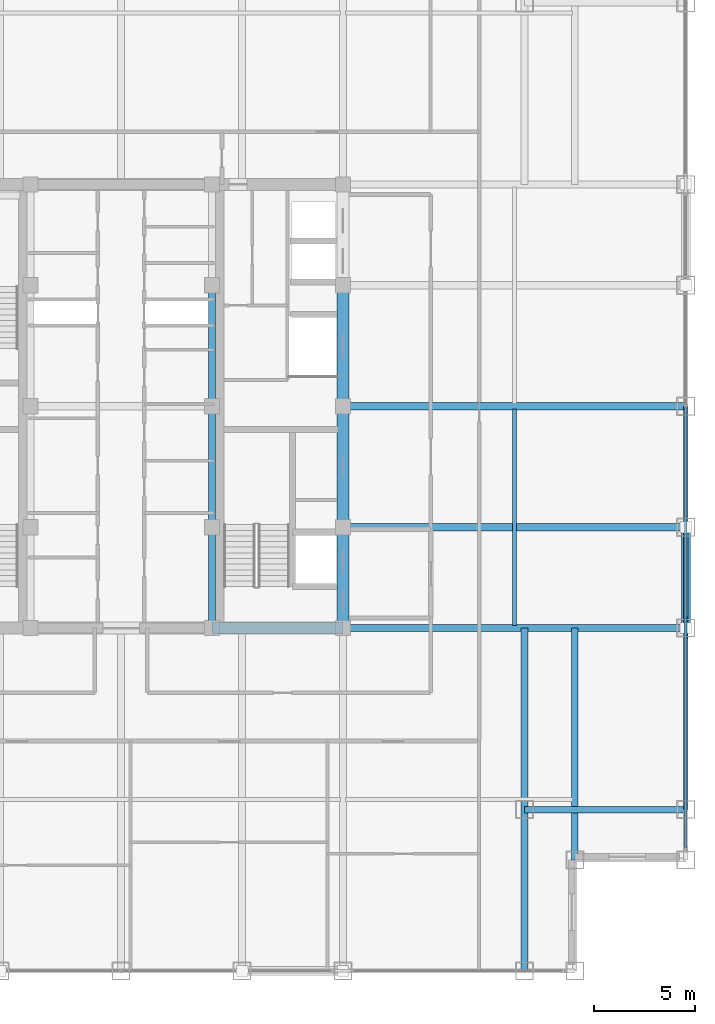
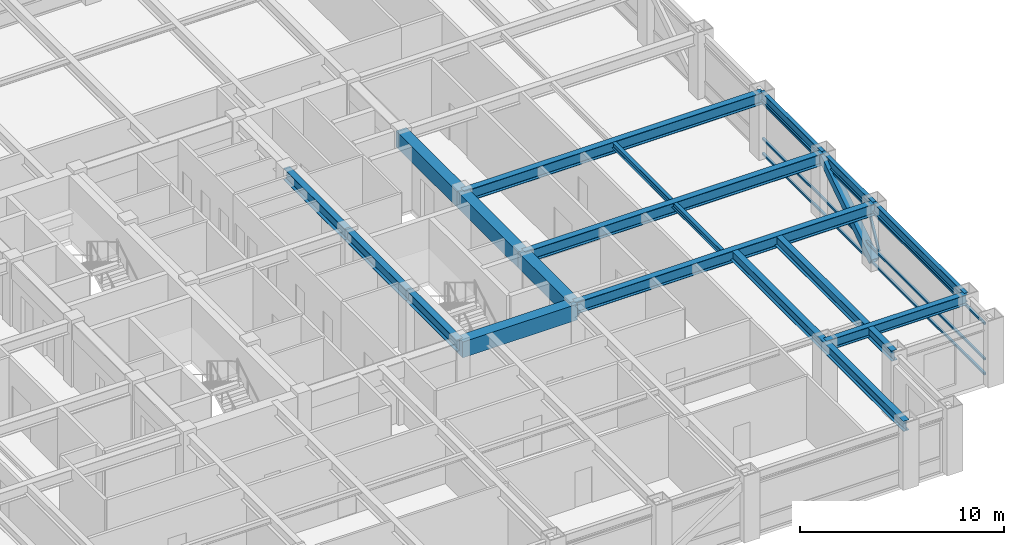
# One storey, part 9 of 22: 17 beams, 5 members, 1 element without a shape of its own.
"""IFC4 building model written with IfcOpenShell, lengths in metres."""

from ifc_helpers import new_model, si_unit, direction, frame, origin, origin_2d, place, context, subcontext, project, spatial, rectangle, hollow_rectangle, i_section, extrude, source, transform, mapped, material, material_profile, profile_set, type_object, element, aggregate, save


model = new_model("IFC4")

# Units and contexts
model_context = context("Model", 3, precision=1e-05, world=origin(), true_north=direction((0.0, 1.0)))
body_context = subcontext(model_context, "Body", "Model", "MODEL_VIEW")
ifc_project = project(units=[si_unit("LENGTHUNIT", "METRE"), si_unit("AREAUNIT", "SQUARE_METRE"), si_unit("VOLUMEUNIT", "CUBIC_METRE"), si_unit("PLANEANGLEUNIT", "RADIAN"), si_unit("MASSUNIT", "GRAM", prefix="KILO")], contexts=[model_context])

# Site, building, storey
site_placement = place(None, origin())
site = spatial("IfcSite", under=ifc_project, at=site_placement, CompositionType="ELEMENT")
building_placement = place(site_placement, origin())
building = spatial("IfcBuilding", under=site, at=building_placement, Name="Khorayat Bourse Tower", CompositionType="ELEMENT")
storey_placement = place(building_placement, frame((0.0, 0.0, 293.5)))
storey = spatial("IfcBuildingStorey", under=building, at=storey_placement, Name="L69", CompositionType="ELEMENT", Elevation=293.5)

# Beams
ifc_material_1 = material(Name="Steel ASTM A992 Grade 50", Category="steel")
ifc_material_profile_1 = material_profile(ifc_material_1, i_section(OverallWidth=0.35498046875, OverallDepth=0.695068359375, WebThickness=0.015380859375, FlangeThickness=0.02490234375, FilletRadius=0.01806640625, at=origin_2d()), Name="W690X217")
ifc_profile_set_1 = profile_set([ifc_material_profile_1], Name="Steel ASTM A992 Grade 50")
beam_type_1 = type_object("IfcBeamType", Name="BM-GIRD-690", PredefinedType="BEAM", material=ifc_profile_set_1)
shared_shape_1 = source(origin(), body_context, "Body", "SweptSolid", [
    extrude(i_section(OverallWidth=0.35498046875, OverallDepth=0.695068359375, WebThickness=0.015380859375, FlangeThickness=0.02490234375, FilletRadius=0.01806640625, at=origin_2d()), origin(), (0.0, 0.0, 1.0), 5.0),
])
beam_1_placement = place(storey_placement, frame((4.5, -11.0, 3.4326171875), z_axis=(0.0, 1.0, 0.0), x_axis=(-1.0, 0.0, 0.0)))
element("IfcBeam", 1, at=beam_1_placement, inside=storey, type_object=beam_type_1, Name="L69 BM-GIRD-690 BM-L69-CRX-09", PredefinedType="BEAM", context=body_context, shape_type="MappedRepresentation", body=[
    mapped(shared_shape_1, transform((0.0, 0.0, 0.0), scale=1.0)),
])
shared_shape_2 = source(origin(), body_context, "Body", "SweptSolid", [
    extrude(i_section(OverallWidth=0.35498046875, OverallDepth=0.695068359375, WebThickness=0.015380859375, FlangeThickness=0.02490234375, FilletRadius=0.01806640625, at=origin_2d()), origin(), (0.0, 0.0, 1.0), 6.0),
])
for number, where, z_axis, x_axis, name in (
    (2, (4.5, -6.0, 3.4326171875), (0.0, 1.0, 0.0), (-1.0, 0.0, 0.0), "L69 BM-GIRD-690 BM-L69-CRX-10"),
    (3, (4.5, 0.0, 3.4326171875), (0.0, 1.0, 0.0), (-1.0, 0.0, 0.0), "L69 BM-GIRD-690 BM-L69-CRX-11"),
):
    element("IfcBeam", number, at=place(storey_placement, frame(where, z_axis=z_axis, x_axis=x_axis)), inside=storey, type_object=beam_type_1, Name=name, PredefinedType="BEAM", context=body_context, shape_type="MappedRepresentation", body=[
        mapped(shared_shape_2, transform((0.0, 0.0, 0.0), scale=1.0)),
    ])
ifc_material_profile_2 = material_profile(ifc_material_1, i_section(OverallWidth=0.324951171875, OverallDepth=0.615966796875, WebThickness=0.013916015625, FlangeThickness=0.021484375, FilletRadius=0.01611328125, at=origin_2d()), Name="W610X174")
ifc_profile_set_2 = profile_set([ifc_material_profile_2], Name="Steel ASTM A992 Grade 50")
beam_type_2 = type_object("IfcBeamType", Name="BM-GIRD-610", PredefinedType="BEAM", material=ifc_profile_set_2)
shared_shape_3 = source(origin(), body_context, "Body", "SweptSolid", [
    extrude(i_section(OverallWidth=0.324951171875, OverallDepth=0.615966796875, WebThickness=0.013916015625, FlangeThickness=0.021484375, FilletRadius=0.01611328125, at=origin_2d()), origin(), (0.0, 0.0, 1.0), 17.0),
])
beam_2_placement = place(storey_placement, frame((20.0, -28.0, 3.471923828125), z_axis=(0.0, 1.0, 0.0), x_axis=(-1.0, 0.0, 0.0)))
element("IfcBeam", 4, at=beam_2_placement, inside=storey, type_object=beam_type_2, Name="L69 BM-GIRD-610 BM-L69-CNRY-086", PredefinedType="BEAM", context=body_context, shape_type="MappedRepresentation", body=[
    mapped(shared_shape_3, transform((0.0, 0.0, 0.0), scale=1.0)),
])
ifc_material_2 = material(Name="Concrete C60/75", Category="concrete")
ifc_material_profile_3 = material_profile(ifc_material_2, rectangle(XDim=0.60009765625, YDim=0.949951171875, at=origin_2d()), Name="RC 600x950")
ifc_profile_set_3 = profile_set([ifc_material_profile_3], Name="Concrete C60/75")
beam_type_3 = type_object("IfcBeamType", Name="BM-COUP-950", PredefinedType="BEAM", material=ifc_profile_set_3)
shared_shape_4 = source(origin(), body_context, "Body", "SweptSolid", [
    extrude(rectangle(XDim=0.60009765625, YDim=0.949951171875, at=origin_2d()), origin(), (0.0, 0.0, 1.0), 5.0),
])
beam_3_placement = place(storey_placement, frame((11.0, -11.0, 3.304931640625), z_axis=(0.0, 1.0, 0.0), x_axis=(-1.0, 0.0, 0.0)))
element("IfcBeam", 5, at=beam_3_placement, inside=storey, type_object=beam_type_3, Name="L69 BM-COUP-950 BM-L69-CRX-13", PredefinedType="BEAM", context=body_context, shape_type="MappedRepresentation", body=[
    mapped(shared_shape_4, transform((0.0, 0.0, 0.0), scale=1.0)),
])
shared_shape_5 = source(origin(), body_context, "Body", "SweptSolid", [
    extrude(rectangle(XDim=0.60009765625, YDim=0.949951171875, at=origin_2d()), origin(), (0.0, 0.0, 1.0), 6.0),
])
for number, where, z_axis, x_axis, name in (
    (6, (11.0, -6.0, 3.304931640625), (0.0, 1.0, 0.0), (-1.0, 0.0, 0.0), "L69 BM-COUP-950 BM-L69-CRX-14"),
    (7, (11.0, 0.0, 3.304931640625), (0.0, 1.0, 0.0), (-1.0, 0.0, 0.0), "L69 BM-COUP-950 BM-L69-CRX-15"),
):
    element("IfcBeam", number, at=place(storey_placement, frame(where, z_axis=z_axis, x_axis=x_axis)), inside=storey, type_object=beam_type_3, Name=name, PredefinedType="BEAM", context=body_context, shape_type="MappedRepresentation", body=[
        mapped(shared_shape_5, transform((0.0, 0.0, 0.0), scale=1.0)),
    ])
shared_shape_6 = source(origin(), body_context, "Body", "SweptSolid", [
    extrude(rectangle(XDim=0.60009765625, YDim=0.949951171875, at=origin_2d()), origin(), (0.0, 0.0, 1.0), 6.5),
])
beam_4_placement = place(storey_placement, frame((4.5, -11.0, 3.304931640625), z_axis=(1.0, 0.0, 0.0), x_axis=(0.0, 1.0, 0.0)))
element("IfcBeam", 8, at=beam_4_placement, inside=storey, type_object=beam_type_3, Name="L69 BM-COUP-950 BM-L69-CRY-19", PredefinedType="BEAM", context=body_context, shape_type="MappedRepresentation", body=[
    mapped(shared_shape_6, transform((0.0, 0.0, 0.0), scale=1.0)),
])

# Member
ifc_material_3 = material(Name="Steel EN 10025-4 S460M", Category="steel")
ifc_material_profile_4 = material_profile(ifc_material_3, hollow_rectangle(XDim=0.449951171875, YDim=0.449951171875, WallThickness=0.02490234375, at=origin_2d()), Name="HSS 450x450x25")
ifc_profile_set_4 = profile_set([ifc_material_profile_4], Name="Steel EN 10025-4 S460M")
member_type_1 = type_object("IfcMemberType", Name="MBR-TUBE-450", PredefinedType="BRACE", material=ifc_profile_set_4)
shared_shape_7 = source(origin(), body_context, "Body", "SweptSolid", [
    extrude(hollow_rectangle(XDim=0.449951171875, YDim=0.449951171875, WallThickness=0.02490234375, at=origin_2d()), origin(), (0.0, 0.0, 1.0), 5.979736328125),
])
member_1_placement = place(storey_placement, frame((28.0, -11.0, 0.25), z_axis=(0.0, 0.836141536525, 0.548513747227), x_axis=(-1.0, 0.0, 0.0)))
element("IfcMember", 9, at=member_1_placement, inside=storey, type_object=member_type_1, Name="L69 Perimeter Tube Brace 07", PredefinedType="BRACE", context=body_context, shape_type="MappedRepresentation", body=[
    mapped(shared_shape_7, transform((0.0, 0.0, 0.0), scale=1.0)),
])

# Beams
shared_shape_8 = source(origin(), body_context, "Body", "SweptSolid", [
    extrude(i_section(OverallWidth=0.35498046875, OverallDepth=0.695068359375, WebThickness=0.015380859375, FlangeThickness=0.02490234375, FilletRadius=0.01806640625, at=origin_2d()), origin(), (0.0, 0.0, 1.0), 17.0),
])
for number, where, z_axis, x_axis, name in (
    (10, (11.0, -11.0, 3.4326171875), (1.0, 0.0, 0.0), (0.0, 1.0, 0.0), "L69 BM-GIRD-690 BM-L69-RADX-074"),
    (11, (11.0, -6.0, 3.4326171875), (1.0, 0.0, 0.0), (0.0, 1.0, 0.0), "L69 BM-GIRD-690 BM-L69-RADX-076"),
    (12, (11.0, 0.0, 3.4326171875), (1.0, 0.0, 0.0), (0.0, 1.0, 0.0), "L69 BM-GIRD-690 BM-L69-RADX-078"),
):
    element("IfcBeam", number, at=place(storey_placement, frame(where, z_axis=z_axis, x_axis=x_axis)), inside=storey, type_object=beam_type_1, Name=name, PredefinedType="BEAM", context=body_context, shape_type="MappedRepresentation", body=[
        mapped(shared_shape_8, transform((0.0, 0.0, 0.0), scale=1.0)),
    ])
shared_shape_9 = source(origin(), body_context, "Body", "SweptSolid", [
    extrude(i_section(OverallWidth=0.324951171875, OverallDepth=0.615966796875, WebThickness=0.013916015625, FlangeThickness=0.021484375, FilletRadius=0.01611328125, at=origin_2d()), origin(), (0.0, 0.0, 1.0), 11.5),
])
beam_5_placement = place(storey_placement, frame((22.5, -22.5, 3.471923828125), z_axis=(0.0, 1.0, 0.0), x_axis=(-1.0, 0.0, 0.0)))
element("IfcBeam", 13, at=beam_5_placement, inside=storey, type_object=beam_type_2, Name="L69 BM-GIRD-610 BM-L69-CNRY-090", PredefinedType="BEAM", context=body_context, shape_type="MappedRepresentation", body=[
    mapped(shared_shape_9, transform((0.0, 0.0, 0.0), scale=1.0)),
])
shared_shape_10 = source(origin(), body_context, "Body", "SweptSolid", [
    extrude(i_section(OverallWidth=0.324951171875, OverallDepth=0.615966796875, WebThickness=0.013916015625, FlangeThickness=0.021484375, FilletRadius=0.01611328125, at=origin_2d()), origin(), (0.0, 0.0, 1.0), 8.0),
])
beam_6_placement = place(storey_placement, frame((20.0, -20.0, 3.471923828125), z_axis=(1.0, 0.0, 0.0), x_axis=(0.0, 1.0, 0.0)))
element("IfcBeam", 14, at=beam_6_placement, inside=storey, type_object=beam_type_2, Name="L69 BM-GIRD-610 BM-L69-CNRX-092", PredefinedType="BEAM", context=body_context, shape_type="MappedRepresentation", body=[
    mapped(shared_shape_10, transform((0.0, 0.0, 0.0), scale=1.0)),
])
ifc_material_profile_5 = material_profile(ifc_material_1, i_section(OverallWidth=0.202880859375, OverallDepth=0.346923828125, WebThickness=0.0078125, FlangeThickness=0.013427734375, FilletRadius=0.010009765625, at=origin_2d()), Name="W360X64")
ifc_profile_set_5 = profile_set([ifc_material_profile_5], Name="Steel ASTM A992 Grade 50")
beam_type_4 = type_object("IfcBeamType", Name="BM-JOIST-360", PredefinedType="JOIST", material=ifc_profile_set_5)
shared_shape_11 = source(origin(), body_context, "Body", "SweptSolid", [
    extrude(i_section(OverallWidth=0.202880859375, OverallDepth=0.346923828125, WebThickness=0.0078125, FlangeThickness=0.013427734375, FilletRadius=0.010009765625, at=origin_2d()), origin(), (0.0, 0.0, 1.0), 10.740234375),
])
beam_7_placement = place(storey_placement, frame((19.5, -10.8701171875, 3.6064453125), z_axis=(0.0, 1.0, 0.0), x_axis=(-1.0, 0.0, 0.0)))
element("IfcBeam", 15, at=beam_7_placement, inside=storey, type_object=beam_type_4, Name="L69 BM-JOIST-360 BM-L69-JSTY-104", PredefinedType="JOIST", context=body_context, shape_type="MappedRepresentation", body=[
    mapped(shared_shape_11, transform((0.0, 0.0, 0.0), scale=1.0)),
])
ifc_material_profile_6 = material_profile(ifc_material_1, i_section(OverallWidth=0.214111328125, OverallDepth=0.549072265625, WebThickness=0.0146484375, FlangeThickness=0.023681640625, FilletRadius=0.013916015625, at=origin_2d()), Name="W530X138")
ifc_profile_set_6 = profile_set([ifc_material_profile_6], Name="Steel ASTM A992 Grade 50")
beam_type_5 = type_object("IfcBeamType", Name="BM-SPAN-530", PredefinedType="SPANDREL", material=ifc_profile_set_6)
shared_shape_12 = source(origin(), body_context, "Body", "SweptSolid", [
    extrude(i_section(OverallWidth=0.214111328125, OverallDepth=0.549072265625, WebThickness=0.0146484375, FlangeThickness=0.023681640625, FilletRadius=0.013916015625, at=origin_2d()), origin(), (0.0, 0.0, 1.0), 9.0),
])
beam_8_placement = place(storey_placement, frame((28.0, -20.0, 3.505615234375), z_axis=(0.0, 1.0, 0.0), x_axis=(-1.0, 0.0, 0.0)))
element("IfcBeam", 16, at=beam_8_placement, inside=storey, type_object=beam_type_5, Name="L69 BM-SPAN-530 BM-L69-SPN-035", PredefinedType="SPANDREL", context=body_context, shape_type="MappedRepresentation", body=[
    mapped(shared_shape_12, transform((0.0, 0.0, 0.0), scale=1.0)),
])
shared_shape_13 = source(origin(), body_context, "Body", "SweptSolid", [
    extrude(i_section(OverallWidth=0.214111328125, OverallDepth=0.549072265625, WebThickness=0.0146484375, FlangeThickness=0.023681640625, FilletRadius=0.013916015625, at=origin_2d()), origin(), (0.0, 0.0, 1.0), 5.0),
])
beam_9_placement = place(storey_placement, frame((28.0, -11.0, 3.505615234375), z_axis=(0.0, 1.0, 0.0), x_axis=(-1.0, 0.0, 0.0)))
element("IfcBeam", 17, at=beam_9_placement, inside=storey, type_object=beam_type_5, Name="L69 BM-SPAN-530 BM-L69-SPN-036", PredefinedType="SPANDREL", context=body_context, shape_type="MappedRepresentation", body=[
    mapped(shared_shape_13, transform((0.0, 0.0, 0.0), scale=1.0)),
])
shared_shape_14 = source(origin(), body_context, "Body", "SweptSolid", [
    extrude(i_section(OverallWidth=0.214111328125, OverallDepth=0.549072265625, WebThickness=0.0146484375, FlangeThickness=0.023681640625, FilletRadius=0.013916015625, at=origin_2d()), origin(), (0.0, 0.0, 1.0), 6.0),
])
beam_10_placement = place(storey_placement, frame((28.0, -6.0, 3.505615234375), z_axis=(0.0, 1.0, 0.0), x_axis=(-1.0, 0.0, 0.0)))
element("IfcBeam", 18, at=beam_10_placement, inside=storey, type_object=beam_type_5, Name="L69 BM-SPAN-530 BM-L69-SPN-037", PredefinedType="SPANDREL", context=body_context, shape_type="MappedRepresentation", body=[
    mapped(shared_shape_14, transform((0.0, 0.0, 0.0), scale=1.0)),
])

# Curtain wall, members
ifc_material_4 = material(Name="Aluminium EN AW-6063 T6", Category="aluminium")
curtain_wall_type = type_object("IfcCurtainWallType", Name="CW-SYS-04", PredefinedType="NOTDEFINED", material=ifc_material_4)
curtain_wall_placement = place(storey_placement, origin())
curtain_wall = element("IfcCurtainWall", 19, at=curtain_wall_placement, inside=storey, type_object=curtain_wall_type, Name="L69 Curtain Wall CW-L69-E1", PredefinedType="NOTDEFINED")
ifc_material_profile_7 = material_profile(ifc_material_4, hollow_rectangle(XDim=0.1201171875, YDim=0.1201171875, WallThickness=0.0048828125, at=origin_2d()), Name="ALU 120x120x5")
ifc_profile_set_7 = profile_set([ifc_material_profile_7], Name="Aluminium EN AW-6063 T6")
member_type_2 = type_object("IfcMemberType", Name="CWM-DIAG-120", PredefinedType="MULLION", material=ifc_profile_set_7)
shared_shape_15 = source(origin(), body_context, "Body", "SweptSolid", [
    extrude(hollow_rectangle(XDim=0.1201171875, YDim=0.1201171875, WallThickness=0.0048828125, at=origin_2d()), origin(), (0.0, 0.0, 1.0), 2.0791015625),
])
member_2_placement = place(storey_placement, frame((28.0, -11.4541015625, 1.090087890625), z_axis=(0.0, 0.465717394116, 0.884933505309), x_axis=(-1.0, 0.0, 0.0)))
member_2 = element("IfcMember", 20, at=member_2_placement, type_object=member_type_2, Name="CW-L69-E1 Faceted Diagonal Mullion 1", PredefinedType="MULLION", context=body_context, shape_type="MappedRepresentation", body=[
    mapped(shared_shape_15, transform((0.0, 0.0, 0.0), scale=1.0)),
])
ifc_material_profile_8 = material_profile(ifc_material_4, hollow_rectangle(XDim=0.1201171875, YDim=0.1201171875, WallThickness=0.0048828125, at=origin_2d()), Name="ALU 120x120x5")
ifc_profile_set_8 = profile_set([ifc_material_profile_8], Name="Aluminium EN AW-6063 T6")
member_type_3 = type_object("IfcMemberType", Name="CWT-HORZ-120", PredefinedType="USERDEFINED", material=ifc_profile_set_8)
shared_shape_16 = source(origin(), body_context, "Body", "SweptSolid", [
    extrude(hollow_rectangle(XDim=0.1201171875, YDim=0.1201171875, WallThickness=0.0048828125, at=origin_2d()), origin(), (0.0, 0.0, 1.0), 21.81982421875),
])
member_3_placement = place(storey_placement, frame((28.0, -21.8798828125, 0.06005859375), z_axis=(0.0, 1.0, 0.0), x_axis=(-1.0, 0.0, 0.0)))
member_3 = element("IfcMember", 21, at=member_3_placement, type_object=member_type_3, Name="CW-L69-E1 Horizontal Transom 1-1", ObjectType="TRANSOM", PredefinedType="USERDEFINED", context=body_context, shape_type="MappedRepresentation", body=[
    mapped(shared_shape_16, transform((0.0, 0.0, 0.0), scale=1.0)),
])
member_4_placement = place(storey_placement, frame((28.0, -21.8798828125, 0.949951171875), z_axis=(0.0, 1.0, 0.0), x_axis=(-1.0, 0.0, 0.0)))
member_4 = element("IfcMember", 22, at=member_4_placement, type_object=member_type_3, Name="CW-L69-E1 Horizontal Transom 1-2", ObjectType="TRANSOM", PredefinedType="USERDEFINED", context=body_context, shape_type="MappedRepresentation", body=[
    mapped(shared_shape_16, transform((0.0, 0.0, 0.0), scale=1.0)),
])
member_5_placement = place(storey_placement, frame((28.0, -21.8798828125, 3.070068359375), z_axis=(0.0, 1.0, 0.0), x_axis=(-1.0, 0.0, 0.0)))
member_5 = element("IfcMember", 23, at=member_5_placement, type_object=member_type_3, Name="CW-L69-E1 Horizontal Transom 1-3", ObjectType="TRANSOM", PredefinedType="USERDEFINED", context=body_context, shape_type="MappedRepresentation", body=[
    mapped(shared_shape_16, transform((0.0, 0.0, 0.0), scale=1.0)),
])
aggregate(curtain_wall, [member_3, member_4, member_5, member_2])

save(model, "model.ifc")
